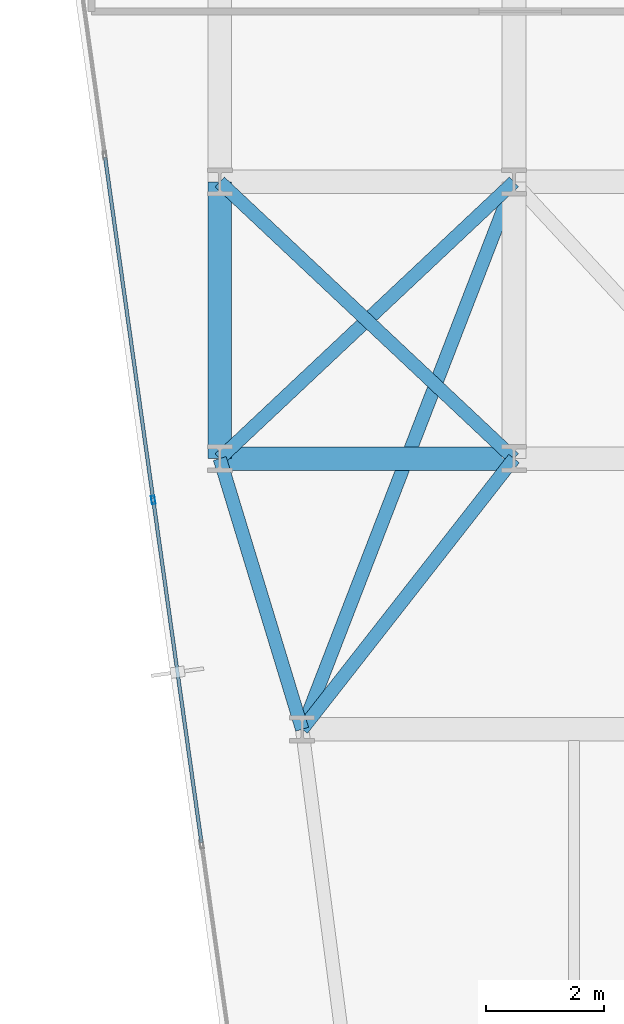
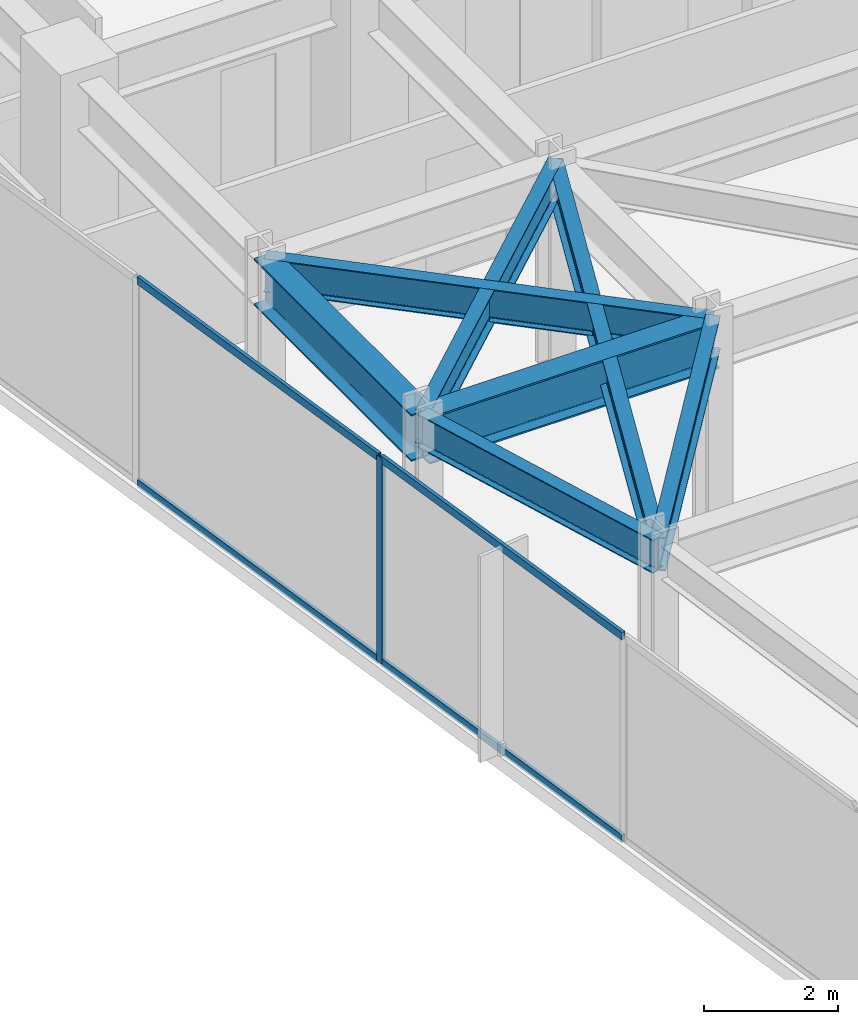
# One storey, part 9 of 26: 7 beams, 5 members, 1 element without a shape of its own.
"""IFC4 building model written with IfcOpenShell, lengths in metres."""

from ifc_helpers import new_model, si_unit, direction, frame, origin, origin_2d, place, context, subcontext, project, spatial, hollow_rectangle, i_section, extrude, material, layer, layer_set, material_profile, profile_set, type_object, element, aggregate, save


model = new_model("IFC4")

# Units and contexts
model_context = context("Model", 3, precision=1e-05, world=origin(), true_north=direction((0.0, 1.0)))
body_context = subcontext(model_context, "Body", "Model", "MODEL_VIEW")
ifc_project = project(units=[si_unit("LENGTHUNIT", "METRE"), si_unit("AREAUNIT", "SQUARE_METRE"), si_unit("VOLUMEUNIT", "CUBIC_METRE"), si_unit("PLANEANGLEUNIT", "RADIAN"), si_unit("MASSUNIT", "GRAM", prefix="KILO")], contexts=[model_context])

# Site, building, storey
site_placement = place(None, origin())
site = spatial("IfcSite", under=ifc_project, at=site_placement, CompositionType="ELEMENT")
building_placement = place(site_placement, origin())
building = spatial("IfcBuilding", under=site, at=building_placement, Name="Kravanh Interchange Tower", CompositionType="ELEMENT")
storey_placement = place(building_placement, frame((0.0, 0.0, 124.0)))
storey = spatial("IfcBuildingStorey", under=building, at=storey_placement, Name="L29", CompositionType="ELEMENT", Elevation=124.0)

# Curtain wall, members
ifc_material_1 = material(Name="Anodised Bronze Aluminium", Category="aluminium")
ifc_layer = layer(ifc_material_1, 0.179931640625)
ifc_layer_set = layer_set([ifc_layer], Name="Unitised Curtain Wall System CW-Z2 Mid Office")
curtain_wall_type = type_object("IfcCurtainWallType", Name="Unitised Curtain Wall System CW-Z2 Mid Office", PredefinedType="NOTDEFINED", material=ifc_layer_set)
curtain_wall_placement = place(storey_placement, origin())
curtain_wall = element("IfcCurtainWall", 1, at=curtain_wall_placement, inside=storey, type_object=curtain_wall_type, Name="L29 Unitised Curtain Wall CW-L29-01", PredefinedType="NOTDEFINED")
ifc_material_2 = material(Name="Anodised Bronze Aluminium", Category="aluminium")
ifc_material_profile_1 = material_profile(ifc_material_2, hollow_rectangle(XDim=0.06005859375, YDim=0.139892578125, WallThickness=0.00390625, at=origin_2d()), Name="ALU60X140X4")
ifc_profile_set_1 = profile_set([ifc_material_profile_1], Name="Anodised Bronze Aluminium")
member_type_1 = type_object("IfcMemberType", Name="Curtain Wall Mullion ALU60X140X4 Bronze", PredefinedType="MULLION", material=ifc_profile_set_1)
member_1_placement = place(storey_placement, frame((12.469970703125, 26.095458984375, 0.0), z_axis=(0.0, 0.0, 1.0), x_axis=(-0.990268103846, -0.13917285118, 0.0)))
member_1 = element("IfcMember", 2, at=member_1_placement, type_object=member_type_1, Name="CW-Z2 mullion 4", PredefinedType="MULLION", context=body_context, shape_type="SweptSolid", body=[
    extrude(hollow_rectangle(XDim=0.06005859375, YDim=0.139892578125, WallThickness=0.00390625, at=origin_2d()), origin(), (0.0, 0.0, 1.0), 3.75),
])
ifc_material_3 = material(Name="Anodised Bronze Aluminium", Category="aluminium")
ifc_material_profile_2 = material_profile(ifc_material_3, hollow_rectangle(XDim=0.06005859375, YDim=0.139892578125, WallThickness=0.00390625, at=origin_2d()), Name="ALU60X140X4")
ifc_profile_set_2 = profile_set([ifc_material_profile_2], Name="Anodised Bronze Aluminium")
member_type_2 = type_object("IfcMemberType", Name="Curtain Wall Transom ALU60X140X4 Bronze", PredefinedType="USERDEFINED", material=ifc_profile_set_2)
member_2_placement = place(storey_placement, frame((13.288330078125, 20.27294921875, 0.030029296875), z_axis=(-0.13918896503, 0.990265839062, 0.0), x_axis=(-0.990265839062, -0.13918896503, 0.0)))
member_2 = element("IfcMember", 3, at=member_2_placement, type_object=member_type_2, Name="CW-Z2 transom 3.1", ObjectType="TRANSOM", PredefinedType="USERDEFINED", context=body_context, shape_type="SweptSolid", body=[
    extrude(hollow_rectangle(XDim=0.06005859375, YDim=0.139892578125, WallThickness=0.00390625, at=origin_2d()), origin(), (0.0, 0.0, 1.0), 5.849609375),
])
member_3_placement = place(storey_placement, frame((13.288330078125, 20.27294921875, 3.719970703125), z_axis=(-0.13918896503, 0.990265839062, 0.0), x_axis=(-0.990265839062, -0.13918896503, 0.0)))
member_3 = element("IfcMember", 4, at=member_3_placement, type_object=member_type_2, Name="CW-Z2 transom 3.2", ObjectType="TRANSOM", PredefinedType="USERDEFINED", context=body_context, shape_type="SweptSolid", body=[
    extrude(hollow_rectangle(XDim=0.06005859375, YDim=0.139892578125, WallThickness=0.00390625, at=origin_2d()), origin(), (0.0, 0.0, 1.0), 5.849609375),
])
member_4_placement = place(storey_placement, frame((12.4658203125, 26.125244140625, 0.030029296875), z_axis=(-0.13918896503, 0.990265839062, 0.0), x_axis=(-0.990265839062, -0.13918896503, 0.0)))
member_4 = element("IfcMember", 5, at=member_4_placement, type_object=member_type_2, Name="CW-Z2 transom 4.1", ObjectType="TRANSOM", PredefinedType="USERDEFINED", context=body_context, shape_type="SweptSolid", body=[
    extrude(hollow_rectangle(XDim=0.06005859375, YDim=0.139892578125, WallThickness=0.00390625, at=origin_2d()), origin(), (0.0, 0.0, 1.0), 5.849609375),
])
member_5_placement = place(storey_placement, frame((12.4658203125, 26.125244140625, 3.719970703125), z_axis=(-0.13918896503, 0.990265839062, 0.0), x_axis=(-0.990265839062, -0.13918896503, 0.0)))
member_5 = element("IfcMember", 6, at=member_5_placement, type_object=member_type_2, Name="CW-Z2 transom 4.2", ObjectType="TRANSOM", PredefinedType="USERDEFINED", context=body_context, shape_type="SweptSolid", body=[
    extrude(hollow_rectangle(XDim=0.06005859375, YDim=0.139892578125, WallThickness=0.00390625, at=origin_2d()), origin(), (0.0, 0.0, 1.0), 5.849609375),
])
aggregate(curtain_wall, [member_1, member_2, member_3, member_4, member_5])

# Beams
ifc_material_4 = material(Name="Structural Steel S355", Category="steel")
ifc_material_profile_3 = material_profile(ifc_material_4, i_section(OverallWidth=0.39990234375, OverallDepth=0.85595703125, WebThickness=0.018310546875, FlangeThickness=0.029296875, FilletRadius=0.02490234375, at=origin_2d()), Name="W33X201")
ifc_profile_set_3 = profile_set([ifc_material_profile_3], Name="Structural Steel S355")
beam_type_1 = type_object("IfcBeamType", Name="Floor Beam W33X201 Structural Steel S355", PredefinedType="BEAM", material=ifc_profile_set_3)
beam_1_placement = place(storey_placement, frame((13.60009765625, 26.800048828125, 3.322021484375), z_axis=(0.0, 1.0, 0.0), x_axis=(-1.0, 0.0, 0.0)))
element("IfcBeam", 7, at=beam_1_placement, inside=storey, type_object=beam_type_1, Name="L29 Primary Floor Girder 37", PredefinedType="BEAM", context=body_context, shape_type="SweptSolid", body=[
    extrude(i_section(OverallWidth=0.39990234375, OverallDepth=0.85595703125, WebThickness=0.018310546875, FlangeThickness=0.029296875, FilletRadius=0.02490234375, at=origin_2d()), origin(), (0.0, 0.0, 1.0), 4.699951171875),
])
beam_2_placement = place(storey_placement, frame((13.60009765625, 26.800048828125, 3.322021484375), z_axis=(1.0, 0.0, 0.0), x_axis=(0.0, 1.0, 0.0)))
element("IfcBeam", 8, at=beam_2_placement, inside=storey, type_object=beam_type_1, Name="L29 Primary Floor Girder 39", PredefinedType="BEAM", context=body_context, shape_type="SweptSolid", body=[
    extrude(i_section(OverallWidth=0.39990234375, OverallDepth=0.85595703125, WebThickness=0.018310546875, FlangeThickness=0.029296875, FilletRadius=0.02490234375, at=origin_2d()), origin(), (0.0, 0.0, 1.0), 5.0),
])
ifc_material_5 = material(Name="Structural Steel S355", Category="steel")
ifc_material_profile_4 = material_profile(ifc_material_5, i_section(OverallWidth=0.22802734375, OverallDepth=0.60791015625, WebThickness=0.01123046875, FlangeThickness=0.017333984375, FilletRadius=0.02197265625, at=origin_2d()), Name="W24X76")
ifc_profile_set_4 = profile_set([ifc_material_profile_4], Name="Structural Steel S355")
beam_type_2 = type_object("IfcBeamType", Name="Floor Spandrel W24X76 Structural Steel S355", PredefinedType="SPANDREL", material=ifc_profile_set_4)
beam_3_placement = place(storey_placement, frame((13.60009765625, 26.800048828125, 3.446044921875), z_axis=(0.291137370727, -0.956681259023, 0.0), x_axis=(0.956681259023, 0.291137370727, 0.0)))
element("IfcBeam", 9, at=beam_3_placement, inside=storey, type_object=beam_type_2, Name="L29 Perimeter Spandrel 38", PredefinedType="SPANDREL", context=body_context, shape_type="SweptSolid", body=[
    extrude(i_section(OverallWidth=0.22802734375, OverallDepth=0.60791015625, WebThickness=0.01123046875, FlangeThickness=0.017333984375, FilletRadius=0.02197265625, at=origin_2d()), origin(), (0.0, 0.0, 1.0), 4.808349609375),
])
beam_4_placement = place(storey_placement, frame((13.60009765625, 26.800048828125, 3.446044921875), z_axis=(0.728631219862, 0.684906231131, 0.0), x_axis=(-0.684906231131, 0.728631219862, 0.0)))
element("IfcBeam", 10, at=beam_4_placement, inside=storey, type_object=beam_type_2, Name="L29 Perimeter Spandrel 40", PredefinedType="SPANDREL", context=body_context, shape_type="SweptSolid", body=[
    extrude(i_section(OverallWidth=0.22802734375, OverallDepth=0.60791015625, WebThickness=0.01123046875, FlangeThickness=0.017333984375, FilletRadius=0.02197265625, at=origin_2d()), origin(), (0.0, 0.0, 1.0), 6.862060546875),
])
beam_5_placement = place(storey_placement, frame((18.60009765625, 26.800048828125, 3.446044921875), z_axis=(-0.616310515553, -0.787503237085, 0.0), x_axis=(0.787503237085, -0.616310515553, 0.0)))
element("IfcBeam", 11, at=beam_5_placement, inside=storey, type_object=beam_type_2, Name="L29 Perimeter Spandrel 42", PredefinedType="SPANDREL", context=body_context, shape_type="SweptSolid", body=[
    extrude(i_section(OverallWidth=0.22802734375, OverallDepth=0.60791015625, WebThickness=0.01123046875, FlangeThickness=0.017333984375, FilletRadius=0.02197265625, at=origin_2d()), origin(), (0.0, 0.0, 1.0), 5.84130859375),
])
beam_6_placement = place(storey_placement, frame((18.60009765625, 26.800048828125, 3.446044921875), z_axis=(-0.728631219862, 0.684906231131, 0.0), x_axis=(-0.684906231131, -0.728631219862, 0.0)))
element("IfcBeam", 12, at=beam_6_placement, inside=storey, type_object=beam_type_2, Name="L29 Perimeter Spandrel 43", PredefinedType="SPANDREL", context=body_context, shape_type="SweptSolid", body=[
    extrude(i_section(OverallWidth=0.22802734375, OverallDepth=0.60791015625, WebThickness=0.01123046875, FlangeThickness=0.017333984375, FilletRadius=0.02197265625, at=origin_2d()), origin(), (0.0, 0.0, 1.0), 6.862060546875),
])
beam_7_placement = place(storey_placement, frame((18.60009765625, 31.5, 3.446044921875), z_axis=(-0.3610009706, -0.932565439648, 0.0), x_axis=(0.932565439648, -0.3610009706, 0.0)))
element("IfcBeam", 13, at=beam_7_placement, inside=storey, type_object=beam_type_2, Name="L29 Perimeter Spandrel 72", PredefinedType="SPANDREL", context=body_context, shape_type="SweptSolid", body=[
    extrude(i_section(OverallWidth=0.22802734375, OverallDepth=0.60791015625, WebThickness=0.01123046875, FlangeThickness=0.017333984375, FilletRadius=0.02197265625, at=origin_2d()), origin(), (0.0, 0.0, 1.0), 9.97265625),
])

save(model, "model.ifc")
